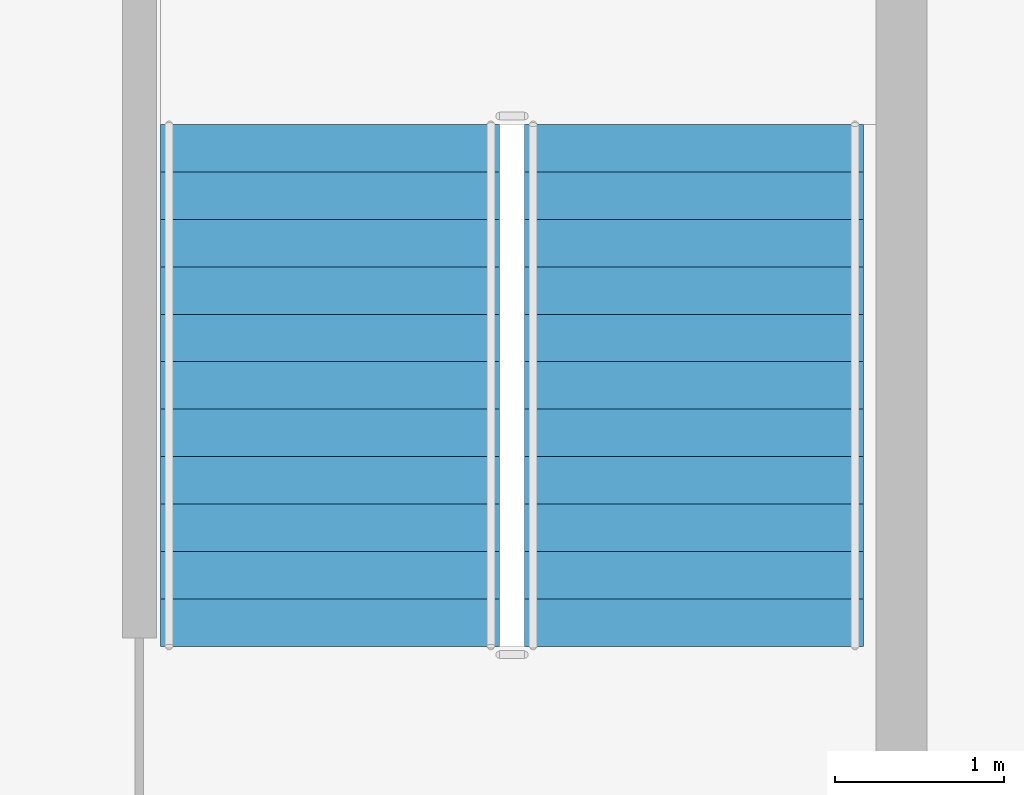
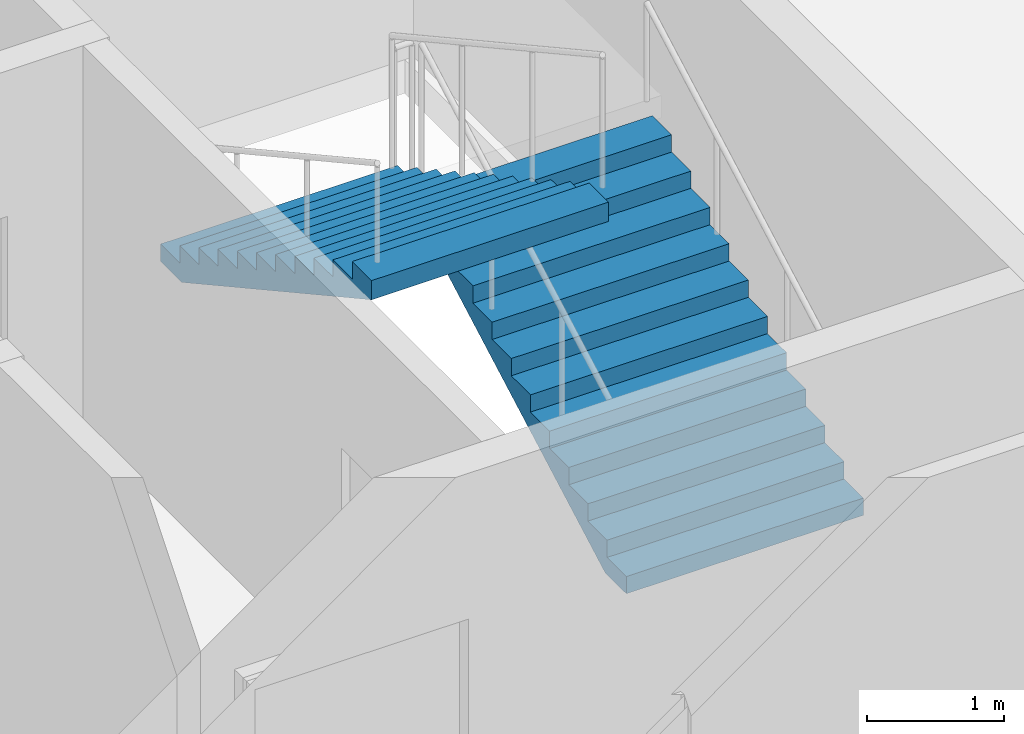
# One storey, part 10 of 12: 2 stair flights, 1 element without a shape of its own.
"""IFC4 building model written with IfcOpenShell, lengths in metres."""

from ifc_helpers import new_model, si_unit, direction, frame, origin, place, context, subcontext, project, spatial, polygons, material, type_object, element, aggregate, save


model = new_model("IFC4")

# Units and contexts
model_context = context("Model", 3, precision=1e-05, world=origin(), true_north=direction((0.0, 1.0)))
body_context = subcontext(model_context, "Body", "Model", "MODEL_VIEW")
ifc_project = project(units=[si_unit("LENGTHUNIT", "METRE"), si_unit("AREAUNIT", "SQUARE_METRE"), si_unit("VOLUMEUNIT", "CUBIC_METRE"), si_unit("PLANEANGLEUNIT", "RADIAN"), si_unit("MASSUNIT", "GRAM", prefix="KILO")], contexts=[model_context])

# Site, building, storey
site_placement = place(None, origin())
site = spatial("IfcSite", under=ifc_project, at=site_placement, CompositionType="ELEMENT")
building_placement = place(site_placement, origin())
building = spatial("IfcBuilding", under=site, at=building_placement, Name="Caravel Reach Hotel and Residences", CompositionType="ELEMENT")
storey_placement = place(building_placement, frame((0.0, 0.0, 203.5)))
storey = spatial("IfcBuildingStorey", under=building, at=storey_placement, Name="L51", CompositionType="ELEMENT", Elevation=203.5)

# Stair, stair flights
ifc_material_1 = material(Name="Concrete C40", Category="concrete")
stair_type = type_object("IfcStairType", Name="Core stair", PredefinedType="HALF_TURN_STAIR", material=ifc_material_1)
stair_placement = place(storey_placement, origin())
stair = element("IfcStair", 1, at=stair_placement, inside=storey, type_object=stair_type, Name="L51 Exit stair B", PredefinedType="HALF_TURN_STAIR")
ifc_material_2 = material(Name="Concrete C40", Category="concrete")
stair_flight_type = type_object("IfcStairFlightType", Name="Core stair flight", PredefinedType="STRAIGHT", material=ifc_material_2)
stair_flight_1_placement = place(storey_placement, frame((43.77490234375, 24.64990234375, 0.0), z_axis=(0.0, 0.0, 1.0), x_axis=(0.0, 1.0, 0.0)))
stair_flight_1 = element("IfcStairFlight", 2, at=stair_flight_1_placement, type_object=stair_flight_type, Name="ST-B flight 1", NumberOfRisers=12, NumberOfTreads=11, PredefinedType="STRAIGHT", RiserHeight=0.154166667, TreadLength=0.28, context=body_context, shape_type="Tessellation", body=[
    polygons([(0.3107950034306102, 1.0, 0.0), (0.3107950034306102, 0.6666666666666667, 0.0), (0.3107950034306102, 0.33333333333333337, 0.0), (0.3107950034306102, 0.0, 0.0), (0.3107950034306102, -0.33333333333333326, 0.0), (0.3107950034306102, -0.6666666666666667, 0.0), (0.3107950034306102, -1.0, 0.0), (3.081, 1.0, 1.524711087717319), (3.081, 0.6666666666666667, 1.524711087717319), (3.081, 0.33333333333333337, 1.524711087717319), (3.081, 0.0, 1.524711087717319), (3.081, -0.33333333333333326, 1.524711087717319), (3.081, -0.6666666666666667, 1.524711087717319), (3.081, -1.0, 1.524711087717319), (3.081, 1.0, 1.695833337), (3.081, 0.6666666666666667, 1.695833337), (3.081, 0.33333333333333337, 1.695833337), (3.081, 0.0, 1.695833337), (3.081, -0.33333333333333326, 1.695833337), (3.081, -0.6666666666666667, 1.695833337), (3.081, -1.0, 1.695833337), (2.8000000000000003, 1.0, 1.695833337), (2.8000000000000003, 0.6666666666666667, 1.695833337), (2.8000000000000003, 0.33333333333333337, 1.695833337), (2.8000000000000003, 0.0, 1.695833337), (2.8000000000000003, -0.33333333333333326, 1.695833337), (2.8000000000000003, -0.6666666666666667, 1.695833337), (2.8000000000000003, -1.0, 1.695833337), (2.8000000000000003, 1.0, 1.5416666700000001), (2.8000000000000003, 0.6666666666666667, 1.5416666700000001), (2.8000000000000003, 0.33333333333333337, 1.5416666700000001), (2.8000000000000003, 0.0, 1.5416666700000001), (2.8000000000000003, -0.33333333333333326, 1.5416666700000001), (2.8000000000000003, -0.6666666666666667, 1.5416666700000001), (2.8000000000000003, -1.0, 1.5416666700000001), (2.5200000000000005, 1.0, 1.5416666700000001), (2.5200000000000005, 0.6666666666666667, 1.5416666700000001), (2.5200000000000005, 0.33333333333333337, 1.5416666700000001), (2.5200000000000005, 0.0, 1.5416666700000001), (2.5200000000000005, -0.33333333333333326, 1.5416666700000001), (2.5200000000000005, -0.6666666666666667, 1.5416666700000001), (2.5200000000000005, -1.0, 1.5416666700000001), (2.5200000000000005, 1.0, 1.387500003), (2.5200000000000005, 0.6666666666666667, 1.387500003), (2.5200000000000005, 0.33333333333333337, 1.387500003), (2.5200000000000005, 0.0, 1.387500003), (2.5200000000000005, -0.33333333333333326, 1.387500003), (2.5200000000000005, -0.6666666666666667, 1.387500003), (2.5200000000000005, -1.0, 1.387500003), (2.24, 1.0, 1.387500003), (2.24, 0.6666666666666667, 1.387500003), (2.24, 0.33333333333333337, 1.387500003), (2.24, 0.0, 1.387500003), (2.24, -0.33333333333333326, 1.387500003), (2.24, -0.6666666666666667, 1.387500003), (2.24, -1.0, 1.387500003), (2.24, 1.0, 1.233333336), (2.24, 0.6666666666666667, 1.233333336), (2.24, 0.33333333333333337, 1.233333336), (2.24, 0.0, 1.233333336), (2.24, -0.33333333333333326, 1.233333336), (2.24, -0.6666666666666667, 1.233333336), (2.24, -1.0, 1.233333336), (1.9600000000000002, 1.0, 1.233333336), (1.9600000000000002, 0.6666666666666667, 1.233333336), (1.9600000000000002, 0.33333333333333337, 1.233333336), (1.9600000000000002, 0.0, 1.233333336), (1.9600000000000002, -0.33333333333333326, 1.233333336), (1.9600000000000002, -0.6666666666666667, 1.233333336), (1.9600000000000002, -1.0, 1.233333336), (1.9600000000000002, 1.0, 1.0791666690000001), (1.9600000000000002, 0.6666666666666667, 1.0791666690000001), (1.9600000000000002, 0.33333333333333337, 1.0791666690000001), (1.9600000000000002, 0.0, 1.0791666690000001), (1.9600000000000002, -0.33333333333333326, 1.0791666690000001), (1.9600000000000002, -0.6666666666666667, 1.0791666690000001), (1.9600000000000002, -1.0, 1.0791666690000001), (1.6800000000000002, 1.0, 1.0791666690000001), (1.6800000000000002, 0.6666666666666667, 1.0791666690000001), (1.6800000000000002, 0.33333333333333337, 1.0791666690000001), (1.6800000000000002, 0.0, 1.0791666690000001), (1.6800000000000002, -0.33333333333333326, 1.0791666690000001), (1.6800000000000002, -0.6666666666666667, 1.0791666690000001), (1.6800000000000002, -1.0, 1.0791666690000001), (1.6800000000000002, 1.0, 0.925000002), (1.6800000000000002, 0.6666666666666667, 0.925000002), (1.6800000000000002, 0.33333333333333337, 0.925000002), (1.6800000000000002, 0.0, 0.925000002), (1.6800000000000002, -0.33333333333333326, 0.925000002), (1.6800000000000002, -0.6666666666666667, 0.925000002), (1.6800000000000002, -1.0, 0.925000002), (1.4000000000000001, 1.0, 0.925000002), (1.4000000000000001, 0.6666666666666667, 0.925000002), (1.4000000000000001, 0.33333333333333337, 0.925000002), (1.4000000000000001, 0.0, 0.925000002), (1.4000000000000001, -0.33333333333333326, 0.925000002), (1.4000000000000001, -0.6666666666666667, 0.925000002), (1.4000000000000001, -1.0, 0.925000002), (1.4000000000000001, 1.0, 0.7708333350000001), (1.4000000000000001, 0.6666666666666667, 0.7708333350000001), (1.4000000000000001, 0.33333333333333337, 0.7708333350000001), (1.4000000000000001, 0.0, 0.7708333350000001), (1.4000000000000001, -0.33333333333333326, 0.7708333350000001), (1.4000000000000001, -0.6666666666666667, 0.7708333350000001), (1.4000000000000001, -1.0, 0.7708333350000001), (1.12, 1.0, 0.7708333350000001), (1.12, 0.6666666666666667, 0.7708333350000001), (1.12, 0.33333333333333337, 0.7708333350000001), (1.12, 0.0, 0.7708333350000001), (1.12, -0.33333333333333326, 0.7708333350000001), (1.12, -0.6666666666666667, 0.7708333350000001), (1.12, -1.0, 0.7708333350000001), (1.12, 1.0, 0.616666668), (1.12, 0.6666666666666667, 0.616666668), (1.12, 0.33333333333333337, 0.616666668), (1.12, 0.0, 0.616666668), (1.12, -0.33333333333333326, 0.616666668), (1.12, -0.6666666666666667, 0.616666668), (1.12, -1.0, 0.616666668), (0.8400000000000001, 1.0, 0.616666668), (0.8400000000000001, 0.6666666666666667, 0.616666668), (0.8400000000000001, 0.33333333333333337, 0.616666668), (0.8400000000000001, 0.0, 0.616666668), (0.8400000000000001, -0.33333333333333326, 0.616666668), (0.8400000000000001, -0.6666666666666667, 0.616666668), (0.8400000000000001, -1.0, 0.616666668), (0.8400000000000001, 1.0, 0.462500001), (0.8400000000000001, 0.6666666666666667, 0.462500001), (0.8400000000000001, 0.33333333333333337, 0.462500001), (0.8400000000000001, 0.0, 0.462500001), (0.8400000000000001, -0.33333333333333326, 0.462500001), (0.8400000000000001, -0.6666666666666667, 0.462500001), (0.8400000000000001, -1.0, 0.462500001), (0.56, 1.0, 0.462500001), (0.56, 0.6666666666666667, 0.462500001), (0.56, 0.33333333333333337, 0.462500001), (0.56, 0.0, 0.462500001), (0.56, -0.33333333333333326, 0.462500001), (0.56, -0.6666666666666667, 0.462500001), (0.56, -1.0, 0.462500001), (0.56, 1.0, 0.308333334), (0.56, 0.6666666666666667, 0.308333334), (0.56, 0.33333333333333337, 0.308333334), (0.56, 0.0, 0.308333334), (0.56, -0.33333333333333326, 0.308333334), (0.56, -0.6666666666666667, 0.308333334), (0.56, -1.0, 0.308333334), (0.28, 1.0, 0.308333334), (0.28, 0.6666666666666667, 0.308333334), (0.28, 0.33333333333333337, 0.308333334), (0.28, 0.0, 0.308333334), (0.28, -0.33333333333333326, 0.308333334), (0.28, -0.6666666666666667, 0.308333334), (0.28, -1.0, 0.308333334), (0.28, 1.0, 0.154166667), (0.28, 0.6666666666666667, 0.154166667), (0.28, 0.33333333333333337, 0.154166667), (0.28, 0.0, 0.154166667), (0.28, -0.33333333333333326, 0.154166667), (0.28, -0.6666666666666667, 0.154166667), (0.28, -1.0, 0.154166667), (-0.001, 1.0, 0.154166667), (-0.001, 0.6666666666666667, 0.154166667), (-0.001, 0.33333333333333337, 0.154166667), (-0.001, 0.0, 0.154166667), (-0.001, -0.33333333333333326, 0.154166667), (-0.001, -0.6666666666666667, 0.154166667), (-0.001, -1.0, 0.154166667), (-0.001, 1.0, 0.0), (-0.001, 0.6666666666666667, 0.0), (-0.001, 0.33333333333333337, 0.0), (-0.001, 0.0, 0.0), (-0.001, -0.33333333333333326, 0.0), (-0.001, -0.6666666666666667, 0.0), (-0.001, -1.0, 0.0)], [[[169, 162, 155, 148, 141, 134, 127, 120, 113, 106, 99, 92, 85, 78, 71, 64, 57, 50, 43, 36, 29, 22, 15, 8, 1]], [[7, 14, 21, 28, 35, 42, 49, 56, 63, 70, 77, 84, 91, 98, 105, 112, 119, 126, 133, 140, 147, 154, 161, 168, 175]], [[1, 8, 9, 2]], [[2, 9, 10, 3]], [[3, 10, 11, 4]], [[4, 11, 12, 5]], [[5, 12, 13, 6]], [[6, 13, 14, 7]], [[8, 15, 16, 9]], [[9, 16, 17, 10]], [[10, 17, 18, 11]], [[11, 18, 19, 12]], [[12, 19, 20, 13]], [[13, 20, 21, 14]], [[15, 22, 23, 16]], [[16, 23, 24, 17]], [[17, 24, 25, 18]], [[18, 25, 26, 19]], [[19, 26, 27, 20]], [[20, 27, 28, 21]], [[22, 29, 30, 23]], [[23, 30, 31, 24]], [[24, 31, 32, 25]], [[25, 32, 33, 26]], [[26, 33, 34, 27]], [[27, 34, 35, 28]], [[29, 36, 37, 30]], [[30, 37, 38, 31]], [[31, 38, 39, 32]], [[32, 39, 40, 33]], [[33, 40, 41, 34]], [[34, 41, 42, 35]], [[36, 43, 44, 37]], [[37, 44, 45, 38]], [[38, 45, 46, 39]], [[39, 46, 47, 40]], [[40, 47, 48, 41]], [[41, 48, 49, 42]], [[43, 50, 51, 44]], [[44, 51, 52, 45]], [[45, 52, 53, 46]], [[46, 53, 54, 47]], [[47, 54, 55, 48]], [[48, 55, 56, 49]], [[50, 57, 58, 51]], [[51, 58, 59, 52]], [[52, 59, 60, 53]], [[53, 60, 61, 54]], [[54, 61, 62, 55]], [[55, 62, 63, 56]], [[57, 64, 65, 58]], [[58, 65, 66, 59]], [[59, 66, 67, 60]], [[60, 67, 68, 61]], [[61, 68, 69, 62]], [[62, 69, 70, 63]], [[64, 71, 72, 65]], [[65, 72, 73, 66]], [[66, 73, 74, 67]], [[67, 74, 75, 68]], [[68, 75, 76, 69]], [[69, 76, 77, 70]], [[71, 78, 79, 72]], [[72, 79, 80, 73]], [[73, 80, 81, 74]], [[74, 81, 82, 75]], [[75, 82, 83, 76]], [[76, 83, 84, 77]], [[78, 85, 86, 79]], [[79, 86, 87, 80]], [[80, 87, 88, 81]], [[81, 88, 89, 82]], [[82, 89, 90, 83]], [[83, 90, 91, 84]], [[85, 92, 93, 86]], [[86, 93, 94, 87]], [[87, 94, 95, 88]], [[88, 95, 96, 89]], [[89, 96, 97, 90]], [[90, 97, 98, 91]], [[92, 99, 100, 93]], [[93, 100, 101, 94]], [[94, 101, 102, 95]], [[95, 102, 103, 96]], [[96, 103, 104, 97]], [[97, 104, 105, 98]], [[99, 106, 107, 100]], [[100, 107, 108, 101]], [[101, 108, 109, 102]], [[102, 109, 110, 103]], [[103, 110, 111, 104]], [[104, 111, 112, 105]], [[106, 113, 114, 107]], [[107, 114, 115, 108]], [[108, 115, 116, 109]], [[109, 116, 117, 110]], [[110, 117, 118, 111]], [[111, 118, 119, 112]], [[113, 120, 121, 114]], [[114, 121, 122, 115]], [[115, 122, 123, 116]], [[116, 123, 124, 117]], [[117, 124, 125, 118]], [[118, 125, 126, 119]], [[120, 127, 128, 121]], [[121, 128, 129, 122]], [[122, 129, 130, 123]], [[123, 130, 131, 124]], [[124, 131, 132, 125]], [[125, 132, 133, 126]], [[127, 134, 135, 128]], [[128, 135, 136, 129]], [[129, 136, 137, 130]], [[130, 137, 138, 131]], [[131, 138, 139, 132]], [[132, 139, 140, 133]], [[134, 141, 142, 135]], [[135, 142, 143, 136]], [[136, 143, 144, 137]], [[137, 144, 145, 138]], [[138, 145, 146, 139]], [[139, 146, 147, 140]], [[141, 148, 149, 142]], [[142, 149, 150, 143]], [[143, 150, 151, 144]], [[144, 151, 152, 145]], [[145, 152, 153, 146]], [[146, 153, 154, 147]], [[148, 155, 156, 149]], [[149, 156, 157, 150]], [[150, 157, 158, 151]], [[151, 158, 159, 152]], [[152, 159, 160, 153]], [[153, 160, 161, 154]], [[155, 162, 163, 156]], [[156, 163, 164, 157]], [[157, 164, 165, 158]], [[158, 165, 166, 159]], [[159, 166, 167, 160]], [[160, 167, 168, 161]], [[162, 169, 170, 163]], [[163, 170, 171, 164]], [[164, 171, 172, 165]], [[165, 172, 173, 166]], [[166, 173, 174, 167]], [[167, 174, 175, 168]], [[169, 1, 2, 170]], [[170, 2, 3, 171]], [[171, 3, 4, 172]], [[172, 4, 5, 173]], [[173, 5, 6, 174]], [[174, 6, 7, 175]]], closed=True),
])
stair_flight_2_placement = place(storey_placement, frame((41.625, 27.72998046875, 1.85009765625), z_axis=(0.0, 0.0, 1.0), x_axis=(0.0, -1.0, 0.0)))
stair_flight_2 = element("IfcStairFlight", 3, at=stair_flight_2_placement, type_object=stair_flight_type, Name="ST-B flight 2", NumberOfRisers=12, NumberOfTreads=11, PredefinedType="STRAIGHT", RiserHeight=0.154166667, TreadLength=0.28, context=body_context, shape_type="Tessellation", body=[
    polygons([(0.3107950034306102, 1.0, 0.0), (0.3107950034306102, 0.6666666666666667, 0.0), (0.3107950034306102, 0.33333333333333337, 0.0), (0.3107950034306102, 0.0, 0.0), (0.3107950034306102, -0.33333333333333326, 0.0), (0.3107950034306102, -0.6666666666666667, 0.0), (0.3107950034306102, -1.0, 0.0), (3.081, 1.0, 1.524711087717319), (3.081, 0.6666666666666667, 1.524711087717319), (3.081, 0.33333333333333337, 1.524711087717319), (3.081, 0.0, 1.524711087717319), (3.081, -0.33333333333333326, 1.524711087717319), (3.081, -0.6666666666666667, 1.524711087717319), (3.081, -1.0, 1.524711087717319), (3.081, 1.0, 1.695833337), (3.081, 0.6666666666666667, 1.695833337), (3.081, 0.33333333333333337, 1.695833337), (3.081, 0.0, 1.695833337), (3.081, -0.33333333333333326, 1.695833337), (3.081, -0.6666666666666667, 1.695833337), (3.081, -1.0, 1.695833337), (2.8000000000000003, 1.0, 1.695833337), (2.8000000000000003, 0.6666666666666667, 1.695833337), (2.8000000000000003, 0.33333333333333337, 1.695833337), (2.8000000000000003, 0.0, 1.695833337), (2.8000000000000003, -0.33333333333333326, 1.695833337), (2.8000000000000003, -0.6666666666666667, 1.695833337), (2.8000000000000003, -1.0, 1.695833337), (2.8000000000000003, 1.0, 1.5416666700000001), (2.8000000000000003, 0.6666666666666667, 1.5416666700000001), (2.8000000000000003, 0.33333333333333337, 1.5416666700000001), (2.8000000000000003, 0.0, 1.5416666700000001), (2.8000000000000003, -0.33333333333333326, 1.5416666700000001), (2.8000000000000003, -0.6666666666666667, 1.5416666700000001), (2.8000000000000003, -1.0, 1.5416666700000001), (2.5200000000000005, 1.0, 1.5416666700000001), (2.5200000000000005, 0.6666666666666667, 1.5416666700000001), (2.5200000000000005, 0.33333333333333337, 1.5416666700000001), (2.5200000000000005, 0.0, 1.5416666700000001), (2.5200000000000005, -0.33333333333333326, 1.5416666700000001), (2.5200000000000005, -0.6666666666666667, 1.5416666700000001), (2.5200000000000005, -1.0, 1.5416666700000001), (2.5200000000000005, 1.0, 1.387500003), (2.5200000000000005, 0.6666666666666667, 1.387500003), (2.5200000000000005, 0.33333333333333337, 1.387500003), (2.5200000000000005, 0.0, 1.387500003), (2.5200000000000005, -0.33333333333333326, 1.387500003), (2.5200000000000005, -0.6666666666666667, 1.387500003), (2.5200000000000005, -1.0, 1.387500003), (2.24, 1.0, 1.387500003), (2.24, 0.6666666666666667, 1.387500003), (2.24, 0.33333333333333337, 1.387500003), (2.24, 0.0, 1.387500003), (2.24, -0.33333333333333326, 1.387500003), (2.24, -0.6666666666666667, 1.387500003), (2.24, -1.0, 1.387500003), (2.24, 1.0, 1.233333336), (2.24, 0.6666666666666667, 1.233333336), (2.24, 0.33333333333333337, 1.233333336), (2.24, 0.0, 1.233333336), (2.24, -0.33333333333333326, 1.233333336), (2.24, -0.6666666666666667, 1.233333336), (2.24, -1.0, 1.233333336), (1.9600000000000002, 1.0, 1.233333336), (1.9600000000000002, 0.6666666666666667, 1.233333336), (1.9600000000000002, 0.33333333333333337, 1.233333336), (1.9600000000000002, 0.0, 1.233333336), (1.9600000000000002, -0.33333333333333326, 1.233333336), (1.9600000000000002, -0.6666666666666667, 1.233333336), (1.9600000000000002, -1.0, 1.233333336), (1.9600000000000002, 1.0, 1.0791666690000001), (1.9600000000000002, 0.6666666666666667, 1.0791666690000001), (1.9600000000000002, 0.33333333333333337, 1.0791666690000001), (1.9600000000000002, 0.0, 1.0791666690000001), (1.9600000000000002, -0.33333333333333326, 1.0791666690000001), (1.9600000000000002, -0.6666666666666667, 1.0791666690000001), (1.9600000000000002, -1.0, 1.0791666690000001), (1.6800000000000002, 1.0, 1.0791666690000001), (1.6800000000000002, 0.6666666666666667, 1.0791666690000001), (1.6800000000000002, 0.33333333333333337, 1.0791666690000001), (1.6800000000000002, 0.0, 1.0791666690000001), (1.6800000000000002, -0.33333333333333326, 1.0791666690000001), (1.6800000000000002, -0.6666666666666667, 1.0791666690000001), (1.6800000000000002, -1.0, 1.0791666690000001), (1.6800000000000002, 1.0, 0.925000002), (1.6800000000000002, 0.6666666666666667, 0.925000002), (1.6800000000000002, 0.33333333333333337, 0.925000002), (1.6800000000000002, 0.0, 0.925000002), (1.6800000000000002, -0.33333333333333326, 0.925000002), (1.6800000000000002, -0.6666666666666667, 0.925000002), (1.6800000000000002, -1.0, 0.925000002), (1.4000000000000001, 1.0, 0.925000002), (1.4000000000000001, 0.6666666666666667, 0.925000002), (1.4000000000000001, 0.33333333333333337, 0.925000002), (1.4000000000000001, 0.0, 0.925000002), (1.4000000000000001, -0.33333333333333326, 0.925000002), (1.4000000000000001, -0.6666666666666667, 0.925000002), (1.4000000000000001, -1.0, 0.925000002), (1.4000000000000001, 1.0, 0.7708333350000001), (1.4000000000000001, 0.6666666666666667, 0.7708333350000001), (1.4000000000000001, 0.33333333333333337, 0.7708333350000001), (1.4000000000000001, 0.0, 0.7708333350000001), (1.4000000000000001, -0.33333333333333326, 0.7708333350000001), (1.4000000000000001, -0.6666666666666667, 0.7708333350000001), (1.4000000000000001, -1.0, 0.7708333350000001), (1.12, 1.0, 0.7708333350000001), (1.12, 0.6666666666666667, 0.7708333350000001), (1.12, 0.33333333333333337, 0.7708333350000001), (1.12, 0.0, 0.7708333350000001), (1.12, -0.33333333333333326, 0.7708333350000001), (1.12, -0.6666666666666667, 0.7708333350000001), (1.12, -1.0, 0.7708333350000001), (1.12, 1.0, 0.616666668), (1.12, 0.6666666666666667, 0.616666668), (1.12, 0.33333333333333337, 0.616666668), (1.12, 0.0, 0.616666668), (1.12, -0.33333333333333326, 0.616666668), (1.12, -0.6666666666666667, 0.616666668), (1.12, -1.0, 0.616666668), (0.8400000000000001, 1.0, 0.616666668), (0.8400000000000001, 0.6666666666666667, 0.616666668), (0.8400000000000001, 0.33333333333333337, 0.616666668), (0.8400000000000001, 0.0, 0.616666668), (0.8400000000000001, -0.33333333333333326, 0.616666668), (0.8400000000000001, -0.6666666666666667, 0.616666668), (0.8400000000000001, -1.0, 0.616666668), (0.8400000000000001, 1.0, 0.462500001), (0.8400000000000001, 0.6666666666666667, 0.462500001), (0.8400000000000001, 0.33333333333333337, 0.462500001), (0.8400000000000001, 0.0, 0.462500001), (0.8400000000000001, -0.33333333333333326, 0.462500001), (0.8400000000000001, -0.6666666666666667, 0.462500001), (0.8400000000000001, -1.0, 0.462500001), (0.56, 1.0, 0.462500001), (0.56, 0.6666666666666667, 0.462500001), (0.56, 0.33333333333333337, 0.462500001), (0.56, 0.0, 0.462500001), (0.56, -0.33333333333333326, 0.462500001), (0.56, -0.6666666666666667, 0.462500001), (0.56, -1.0, 0.462500001), (0.56, 1.0, 0.308333334), (0.56, 0.6666666666666667, 0.308333334), (0.56, 0.33333333333333337, 0.308333334), (0.56, 0.0, 0.308333334), (0.56, -0.33333333333333326, 0.308333334), (0.56, -0.6666666666666667, 0.308333334), (0.56, -1.0, 0.308333334), (0.28, 1.0, 0.308333334), (0.28, 0.6666666666666667, 0.308333334), (0.28, 0.33333333333333337, 0.308333334), (0.28, 0.0, 0.308333334), (0.28, -0.33333333333333326, 0.308333334), (0.28, -0.6666666666666667, 0.308333334), (0.28, -1.0, 0.308333334), (0.28, 1.0, 0.154166667), (0.28, 0.6666666666666667, 0.154166667), (0.28, 0.33333333333333337, 0.154166667), (0.28, 0.0, 0.154166667), (0.28, -0.33333333333333326, 0.154166667), (0.28, -0.6666666666666667, 0.154166667), (0.28, -1.0, 0.154166667), (-0.001, 1.0, 0.154166667), (-0.001, 0.6666666666666667, 0.154166667), (-0.001, 0.33333333333333337, 0.154166667), (-0.001, 0.0, 0.154166667), (-0.001, -0.33333333333333326, 0.154166667), (-0.001, -0.6666666666666667, 0.154166667), (-0.001, -1.0, 0.154166667), (-0.001, 1.0, 0.0), (-0.001, 0.6666666666666667, 0.0), (-0.001, 0.33333333333333337, 0.0), (-0.001, 0.0, 0.0), (-0.001, -0.33333333333333326, 0.0), (-0.001, -0.6666666666666667, 0.0), (-0.001, -1.0, 0.0)], [[[169, 162, 155, 148, 141, 134, 127, 120, 113, 106, 99, 92, 85, 78, 71, 64, 57, 50, 43, 36, 29, 22, 15, 8, 1]], [[7, 14, 21, 28, 35, 42, 49, 56, 63, 70, 77, 84, 91, 98, 105, 112, 119, 126, 133, 140, 147, 154, 161, 168, 175]], [[1, 8, 9, 2]], [[2, 9, 10, 3]], [[3, 10, 11, 4]], [[4, 11, 12, 5]], [[5, 12, 13, 6]], [[6, 13, 14, 7]], [[8, 15, 16, 9]], [[9, 16, 17, 10]], [[10, 17, 18, 11]], [[11, 18, 19, 12]], [[12, 19, 20, 13]], [[13, 20, 21, 14]], [[15, 22, 23, 16]], [[16, 23, 24, 17]], [[17, 24, 25, 18]], [[18, 25, 26, 19]], [[19, 26, 27, 20]], [[20, 27, 28, 21]], [[22, 29, 30, 23]], [[23, 30, 31, 24]], [[24, 31, 32, 25]], [[25, 32, 33, 26]], [[26, 33, 34, 27]], [[27, 34, 35, 28]], [[29, 36, 37, 30]], [[30, 37, 38, 31]], [[31, 38, 39, 32]], [[32, 39, 40, 33]], [[33, 40, 41, 34]], [[34, 41, 42, 35]], [[36, 43, 44, 37]], [[37, 44, 45, 38]], [[38, 45, 46, 39]], [[39, 46, 47, 40]], [[40, 47, 48, 41]], [[41, 48, 49, 42]], [[43, 50, 51, 44]], [[44, 51, 52, 45]], [[45, 52, 53, 46]], [[46, 53, 54, 47]], [[47, 54, 55, 48]], [[48, 55, 56, 49]], [[50, 57, 58, 51]], [[51, 58, 59, 52]], [[52, 59, 60, 53]], [[53, 60, 61, 54]], [[54, 61, 62, 55]], [[55, 62, 63, 56]], [[57, 64, 65, 58]], [[58, 65, 66, 59]], [[59, 66, 67, 60]], [[60, 67, 68, 61]], [[61, 68, 69, 62]], [[62, 69, 70, 63]], [[64, 71, 72, 65]], [[65, 72, 73, 66]], [[66, 73, 74, 67]], [[67, 74, 75, 68]], [[68, 75, 76, 69]], [[69, 76, 77, 70]], [[71, 78, 79, 72]], [[72, 79, 80, 73]], [[73, 80, 81, 74]], [[74, 81, 82, 75]], [[75, 82, 83, 76]], [[76, 83, 84, 77]], [[78, 85, 86, 79]], [[79, 86, 87, 80]], [[80, 87, 88, 81]], [[81, 88, 89, 82]], [[82, 89, 90, 83]], [[83, 90, 91, 84]], [[85, 92, 93, 86]], [[86, 93, 94, 87]], [[87, 94, 95, 88]], [[88, 95, 96, 89]], [[89, 96, 97, 90]], [[90, 97, 98, 91]], [[92, 99, 100, 93]], [[93, 100, 101, 94]], [[94, 101, 102, 95]], [[95, 102, 103, 96]], [[96, 103, 104, 97]], [[97, 104, 105, 98]], [[99, 106, 107, 100]], [[100, 107, 108, 101]], [[101, 108, 109, 102]], [[102, 109, 110, 103]], [[103, 110, 111, 104]], [[104, 111, 112, 105]], [[106, 113, 114, 107]], [[107, 114, 115, 108]], [[108, 115, 116, 109]], [[109, 116, 117, 110]], [[110, 117, 118, 111]], [[111, 118, 119, 112]], [[113, 120, 121, 114]], [[114, 121, 122, 115]], [[115, 122, 123, 116]], [[116, 123, 124, 117]], [[117, 124, 125, 118]], [[118, 125, 126, 119]], [[120, 127, 128, 121]], [[121, 128, 129, 122]], [[122, 129, 130, 123]], [[123, 130, 131, 124]], [[124, 131, 132, 125]], [[125, 132, 133, 126]], [[127, 134, 135, 128]], [[128, 135, 136, 129]], [[129, 136, 137, 130]], [[130, 137, 138, 131]], [[131, 138, 139, 132]], [[132, 139, 140, 133]], [[134, 141, 142, 135]], [[135, 142, 143, 136]], [[136, 143, 144, 137]], [[137, 144, 145, 138]], [[138, 145, 146, 139]], [[139, 146, 147, 140]], [[141, 148, 149, 142]], [[142, 149, 150, 143]], [[143, 150, 151, 144]], [[144, 151, 152, 145]], [[145, 152, 153, 146]], [[146, 153, 154, 147]], [[148, 155, 156, 149]], [[149, 156, 157, 150]], [[150, 157, 158, 151]], [[151, 158, 159, 152]], [[152, 159, 160, 153]], [[153, 160, 161, 154]], [[155, 162, 163, 156]], [[156, 163, 164, 157]], [[157, 164, 165, 158]], [[158, 165, 166, 159]], [[159, 166, 167, 160]], [[160, 167, 168, 161]], [[162, 169, 170, 163]], [[163, 170, 171, 164]], [[164, 171, 172, 165]], [[165, 172, 173, 166]], [[166, 173, 174, 167]], [[167, 174, 175, 168]], [[169, 1, 2, 170]], [[170, 2, 3, 171]], [[171, 3, 4, 172]], [[172, 4, 5, 173]], [[173, 5, 6, 174]], [[174, 6, 7, 175]]], closed=True),
])
aggregate(stair, [stair_flight_1, stair_flight_2])

save(model, "model.ifc")
